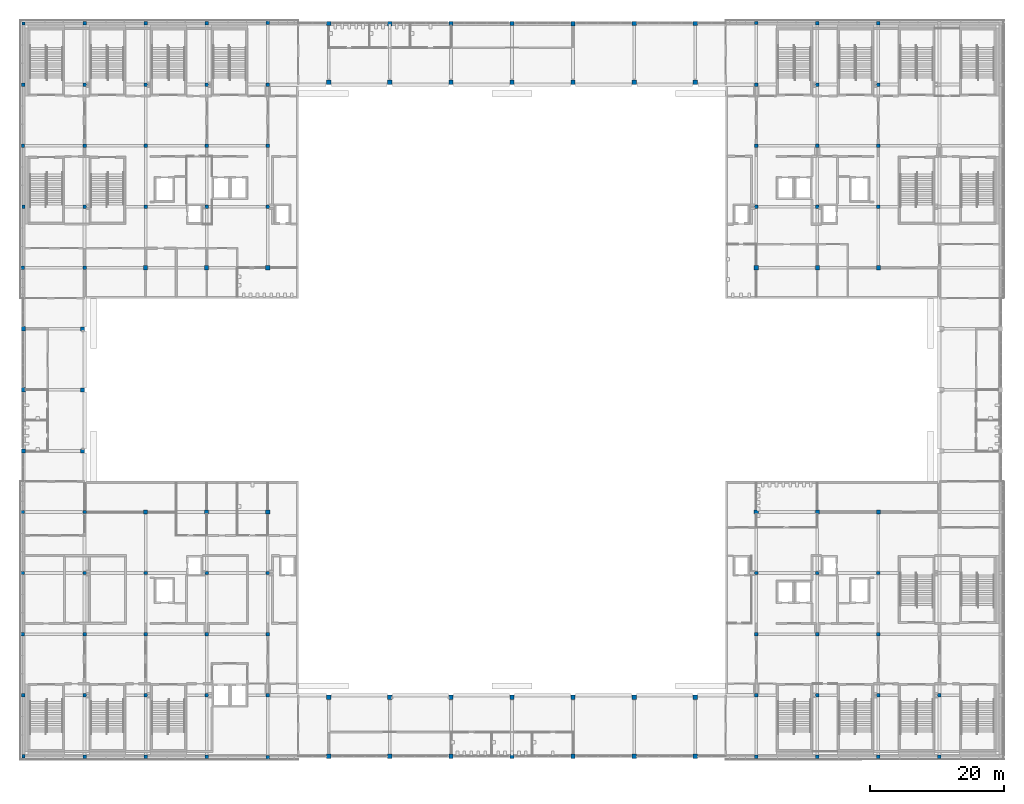
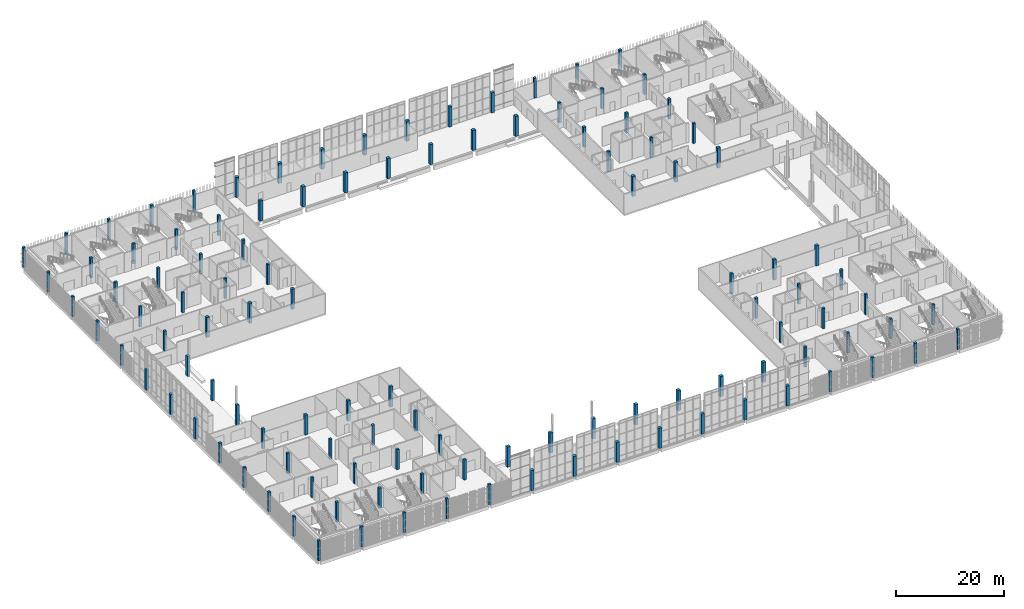
# One storey, part 1 of 91: 116 columns.
"""IFC4 building model written with IfcOpenShell, lengths in metres."""

from ifc_helpers import new_model, si_unit, direction, frame, origin, origin_2d, place, context, subcontext, project, spatial, rectangle, extrude, material, material_profile, profile_set, type_object, element, save


model = new_model("IFC4")

# Units and contexts
model_context = context("Model", 3, precision=1e-05, world=origin(), true_north=direction((0.0, 1.0)))
body_context = subcontext(model_context, "Body", "Model", "MODEL_VIEW")
ifc_project = project(units=[si_unit("LENGTHUNIT", "METRE"), si_unit("AREAUNIT", "SQUARE_METRE"), si_unit("VOLUMEUNIT", "CUBIC_METRE"), si_unit("PLANEANGLEUNIT", "RADIAN"), si_unit("MASSUNIT", "GRAM", prefix="KILO")], contexts=[model_context])

# Site, building, storey
site_placement = place(None, origin())
site = spatial("IfcSite", under=ifc_project, at=site_placement, CompositionType="ELEMENT")
building_placement = place(site_placement, origin())
building = spatial("IfcBuilding", under=site, at=building_placement, Name="Shirokan Park Arena", CompositionType="ELEMENT")
storey_placement = place(building_placement, frame((0.0, 0.0, 24.570068359375)))
storey = spatial("IfcBuildingStorey", under=building, at=storey_placement, Name="L05", CompositionType="ELEMENT", Elevation=24.570068359375)

# Columns
ifc_material = material(Name="Concrete C35", Category="concrete")
ifc_material_profile_1 = material_profile(ifc_material, rectangle(XDim=0.5, YDim=0.5, at=origin_2d()), Name="500x500")
ifc_profile_set_1 = profile_set([ifc_material_profile_1], Name="Concrete C35")
column_type_1 = type_object("IfcColumnType", Name="RC column 500x500", PredefinedType="COLUMN", material=ifc_profile_set_1)
for number, where, z_axis, x_axis, name in (
    (1, (0.0, 0.0, 0.0), (0.0, 0.0, 1.0), (1.0, 0.0, 0.0), "Column 1A L05"),
    (2, (-0.050048828125, 9.10009765625, 0.0), (0.0, 0.0, 1.0), (1.0, 0.0, 0.0), "Column 1B L05"),
    (3, (-0.125, 18.199951171875, 0.0), (0.0, 0.0, 1.0), (1.0, 0.0, 0.0), "Column 1C L05"),
    (4, (-0.125, 27.300048828125, 0.0), (0.0, 0.0, 1.0), (1.0, 0.0, 0.0), "Column 1D L05"),
    (5, (-0.10009765625, 36.39990234375, 0.0), (0.0, 0.0, 1.0), (1.0, 0.0, 0.0), "Column 1E L05"),
    (6, (-0.10009765625, 72.800048828125, 0.0), (0.0, 0.0, 1.0), (1.0, 0.0, 0.0), "Column 1J L05"),
    (7, (0.0, 81.89990234375, 0.0), (0.0, 0.0, 1.0), (1.0, 0.0, 0.0), "Column 1K L05"),
    (8, (-0.074951171875, 91.0, 0.0), (0.0, 0.0, 1.0), (1.0, 0.0, 0.0), "Column 1L L05"),
    (9, (-0.02490234375, 100.10009765625, 0.0), (0.0, 0.0, 1.0), (1.0, 0.0, 0.0), "Column 1M L05"),
    (10, (0.0, 109.199951171875, 0.0), (0.0, 0.0, 1.0), (1.0, 0.0, 0.0), "Column 1N L05"),
    (11, (9.10009765625, -0.050048828125, 0.0), (0.0, 0.0, 1.0), (1.0, 0.0, 0.0), "Column 2A L05"),
    (12, (9.10009765625, 9.10009765625, 0.0), (0.0, 0.0, 1.0), (1.0, 0.0, 0.0), "Column 2B L05"),
    (13, (9.10009765625, 18.199951171875, 0.0), (0.0, 0.0, 1.0), (1.0, 0.0, 0.0), "Column 2C L05"),
    (14, (9.10009765625, 27.300048828125, 0.0), (0.0, 0.0, 1.0), (1.0, 0.0, 0.0), "Column 2D L05"),
    (15, (9.10009765625, 36.39990234375, 0.0), (0.0, 0.0, 1.0), (1.0, 0.0, 0.0), "Column 2E L05"),
    (16, (9.10009765625, 72.800048828125, 0.0), (0.0, 0.0, 1.0), (1.0, 0.0, 0.0), "Column 2J L05"),
    (17, (9.10009765625, 81.89990234375, 0.0), (0.0, 0.0, 1.0), (1.0, 0.0, 0.0), "Column 2K L05"),
    (18, (9.10009765625, 91.0, 0.0), (0.0, 0.0, 1.0), (1.0, 0.0, 0.0), "Column 2L L05"),
    (19, (9.10009765625, 100.10009765625, 0.0), (0.0, 0.0, 1.0), (1.0, 0.0, 0.0), "Column 2M L05"),
    (20, (9.10009765625, 109.22509765625, 0.0), (0.0, 0.0, 1.0), (1.0, 0.0, 0.0), "Column 2N L05"),
    (21, (18.199951171875, -0.050048828125, 0.0), (0.0, 0.0, 1.0), (1.0, 0.0, 0.0), "Column 3A L05"),
    (22, (18.199951171875, 9.10009765625, 0.0), (0.0, 0.0, 1.0), (1.0, 0.0, 0.0), "Column 3B L05"),
    (23, (18.199951171875, 18.199951171875, 0.0), (0.0, 0.0, 1.0), (1.0, 0.0, 0.0), "Column 3C L05"),
    (24, (18.199951171875, 27.300048828125, 0.0), (0.0, 0.0, 1.0), (1.0, 0.0, 0.0), "Column 3D L05"),
    (25, (18.199951171875, 81.89990234375, 0.0), (0.0, 0.0, 1.0), (1.0, 0.0, 0.0), "Column 3K L05"),
    (26, (18.199951171875, 91.0, 0.0), (0.0, 0.0, 1.0), (1.0, 0.0, 0.0), "Column 3L L05"),
    (27, (18.199951171875, 100.10009765625, 0.0), (0.0, 0.0, 1.0), (1.0, 0.0, 0.0), "Column 3M L05"),
    (28, (18.199951171875, 109.22509765625, 0.0), (0.0, 0.0, 1.0), (1.0, 0.0, 0.0), "Column 3N L05"),
    (29, (27.300048828125, -0.10009765625, 0.0), (0.0, 0.0, 1.0), (1.0, 0.0, 0.0), "Column 4A L05"),
    (30, (27.300048828125, 9.10009765625, 0.0), (0.0, 0.0, 1.0), (1.0, 0.0, 0.0), "Column 4B L05"),
    (31, (27.300048828125, 18.199951171875, 0.0), (0.0, 0.0, 1.0), (1.0, 0.0, 0.0), "Column 4C L05"),
    (32, (27.300048828125, 27.300048828125, 0.0), (0.0, 0.0, 1.0), (1.0, 0.0, 0.0), "Column 4D L05"),
    (33, (27.300048828125, 81.89990234375, 0.0), (0.0, 0.0, 1.0), (1.0, 0.0, 0.0), "Column 4K L05"),
    (34, (27.300048828125, 91.0, 0.0), (0.0, 0.0, 1.0), (1.0, 0.0, 0.0), "Column 4L L05"),
    (35, (27.300048828125, 100.10009765625, 0.0), (0.0, 0.0, 1.0), (1.0, 0.0, 0.0), "Column 4M L05"),
    (36, (27.300048828125, 109.22509765625, 0.0), (0.0, 0.0, 1.0), (1.0, 0.0, 0.0), "Column 4N L05"),
    (37, (36.39990234375, -0.125, 0.0), (0.0, 0.0, 1.0), (1.0, 0.0, 0.0), "Column 5A L05"),
    (38, (36.39990234375, 9.10009765625, 0.0), (0.0, 0.0, 1.0), (1.0, 0.0, 0.0), "Column 5B L05"),
    (39, (36.39990234375, 18.199951171875, 0.0), (0.0, 0.0, 1.0), (1.0, 0.0, 0.0), "Column 5C L05"),
    (40, (36.39990234375, 27.300048828125, 0.0), (0.0, 0.0, 1.0), (1.0, 0.0, 0.0), "Column 5D L05"),
    (41, (36.39990234375, 81.89990234375, 0.0), (0.0, 0.0, 1.0), (1.0, 0.0, 0.0), "Column 5K L05"),
    (42, (36.39990234375, 91.0, 0.0), (0.0, 0.0, 1.0), (1.0, 0.0, 0.0), "Column 5L L05"),
    (43, (36.39990234375, 100.10009765625, 0.0), (0.0, 0.0, 1.0), (1.0, 0.0, 0.0), "Column 5M L05"),
    (44, (36.39990234375, 109.300048828125, 0.0), (0.0, 0.0, 1.0), (1.0, 0.0, 0.0), "Column 5N L05"),
    (45, (109.199951171875, -0.10009765625, 0.0), (0.0, 0.0, 1.0), (1.0, 0.0, 0.0), "Column 13A L05"),
    (46, (109.199951171875, 9.10009765625, 0.0), (0.0, 0.0, 1.0), (1.0, 0.0, 0.0), "Column 13B L05"),
    (47, (109.199951171875, 18.199951171875, 0.0), (0.0, 0.0, 1.0), (1.0, 0.0, 0.0), "Column 13C L05"),
    (48, (109.199951171875, 27.300048828125, 0.0), (0.0, 0.0, 1.0), (1.0, 0.0, 0.0), "Column 13D L05"),
    (49, (109.199951171875, 81.89990234375, 0.0), (0.0, 0.0, 1.0), (1.0, 0.0, 0.0), "Column 13K L05"),
    (50, (109.199951171875, 91.0, 0.0), (0.0, 0.0, 1.0), (1.0, 0.0, 0.0), "Column 13L L05"),
    (51, (109.199951171875, 100.10009765625, 0.0), (0.0, 0.0, 1.0), (1.0, 0.0, 0.0), "Column 13M L05"),
    (52, (109.199951171875, 109.27490234375, 0.0), (0.0, 0.0, 1.0), (1.0, 0.0, 0.0), "Column 13N L05"),
    (53, (118.300048828125, -0.050048828125, 0.0), (0.0, 0.0, 1.0), (1.0, 0.0, 0.0), "Column 14A L05"),
    (54, (118.300048828125, 9.10009765625, 0.0), (0.0, 0.0, 1.0), (1.0, 0.0, 0.0), "Column 14B L05"),
    (55, (118.300048828125, 18.199951171875, 0.0), (0.0, 0.0, 1.0), (1.0, 0.0, 0.0), "Column 14C L05"),
    (56, (118.300048828125, 27.300048828125, 0.0), (0.0, 0.0, 1.0), (1.0, 0.0, 0.0), "Column 14D L05"),
    (57, (118.300048828125, 81.89990234375, 0.0), (0.0, 0.0, 1.0), (1.0, 0.0, 0.0), "Column 14K L05"),
    (58, (118.300048828125, 91.0, 0.0), (0.0, 0.0, 1.0), (1.0, 0.0, 0.0), "Column 14L L05"),
    (59, (118.300048828125, 100.10009765625, 0.0), (0.0, 0.0, 1.0), (1.0, 0.0, 0.0), "Column 14M L05"),
    (60, (118.300048828125, 109.22509765625, 0.0), (0.0, 0.0, 1.0), (1.0, 0.0, 0.0), "Column 14N L05"),
    (61, (127.39990234375, -0.050048828125, 0.0), (0.0, 0.0, 1.0), (1.0, 0.0, 0.0), "Column 15A L05"),
    (62, (127.39990234375, 9.10009765625, 0.0), (0.0, 0.0, 1.0), (1.0, 0.0, 0.0), "Column 15B L05"),
    (63, (127.39990234375, 18.199951171875, 0.0), (0.0, 0.0, 1.0), (1.0, 0.0, 0.0), "Column 15C L05"),
    (64, (127.39990234375, 27.300048828125, 0.0), (0.0, 0.0, 1.0), (1.0, 0.0, 0.0), "Column 15D L05"),
    (65, (127.39990234375, 81.89990234375, 0.0), (0.0, 0.0, 1.0), (1.0, 0.0, 0.0), "Column 15K L05"),
    (66, (127.39990234375, 91.0, 0.0), (0.0, 0.0, 1.0), (1.0, 0.0, 0.0), "Column 15L L05"),
    (67, (127.39990234375, 100.10009765625, 0.0), (0.0, 0.0, 1.0), (1.0, 0.0, 0.0), "Column 15M L05"),
    (68, (127.39990234375, 109.22509765625, 0.0), (0.0, 0.0, 1.0), (1.0, 0.0, 0.0), "Column 15N L05"),
    (69, (136.5, -0.050048828125, 0.0), (0.0, 0.0, 1.0), (1.0, 0.0, 0.0), "Column 16A L05"),
    (70, (136.5, 9.10009765625, 0.0), (0.0, 0.0, 1.0), (1.0, 0.0, 0.0), "Column 16B L05"),
):
    element("IfcColumn", number, at=place(storey_placement, frame(where, z_axis=z_axis, x_axis=x_axis)), inside=storey, type_object=column_type_1, Name=name, PredefinedType="COLUMN", context=body_context, shape_type="SweptSolid", body=[
        extrude(rectangle(XDim=0.5, YDim=0.5, at=origin_2d()), origin(), (0.0, 0.0, 1.0), 4.550048828125),
    ])
ifc_material_profile_2 = material_profile(ifc_material, rectangle(XDim=0.60009765625, YDim=0.60009765625, at=origin_2d()), Name="600x600")
ifc_profile_set_2 = profile_set([ifc_material_profile_2], Name="Concrete C35")
column_type_2 = type_object("IfcColumnType", Name="RC column 600x600", PredefinedType="COLUMN", material=ifc_profile_set_2)
for number, where, z_axis, x_axis, name in (
    (71, (8.800048828125, 45.5, 0.0), (0.0, 0.0, 1.0), (1.0, 0.0, 0.0), "Column 2F L05"),
    (72, (8.800048828125, 54.60009765625, 0.0), (0.0, 0.0, 1.0), (1.0, 0.0, 0.0), "Column 2G L05"),
    (73, (8.800048828125, 63.699951171875, 0.0), (0.0, 0.0, 1.0), (1.0, 0.0, 0.0), "Column 2H L05"),
    (74, (18.199951171875, 36.39990234375, 0.0), (0.0, 0.0, 1.0), (1.0, 0.0, 0.0), "Column 3E L05"),
    (75, (18.199951171875, 72.800048828125, 0.0), (0.0, 0.0, 1.0), (1.0, 0.0, 0.0), "Column 3J L05"),
    (76, (27.300048828125, 36.39990234375, 0.0), (0.0, 0.0, 1.0), (1.0, 0.0, 0.0), "Column 4E L05"),
    (77, (27.300048828125, 72.800048828125, 0.0), (0.0, 0.0, 1.0), (1.0, 0.0, 0.0), "Column 4J L05"),
    (78, (36.39990234375, 36.39990234375, 0.0), (0.0, 0.0, 1.0), (1.0, 0.0, 0.0), "Column 5E L05"),
    (79, (36.39990234375, 72.800048828125, 0.0), (0.0, 0.0, 1.0), (1.0, 0.0, 0.0), "Column 5J L05"),
    (80, (109.199951171875, 36.39990234375, 0.0), (0.0, 0.0, 1.0), (1.0, 0.0, 0.0), "Column 13E L05"),
    (81, (109.199951171875, 72.800048828125, 0.0), (0.0, 0.0, 1.0), (1.0, 0.0, 0.0), "Column 13J L05"),
    (82, (118.300048828125, 36.39990234375, 0.0), (0.0, 0.0, 1.0), (1.0, 0.0, 0.0), "Column 14E L05"),
    (83, (118.300048828125, 72.800048828125, 0.0), (0.0, 0.0, 1.0), (1.0, 0.0, 0.0), "Column 14J L05"),
    (84, (127.39990234375, 36.39990234375, 0.0), (0.0, 0.0, 1.0), (1.0, 0.0, 0.0), "Column 15E L05"),
    (85, (127.39990234375, 72.800048828125, 0.0), (0.0, 0.0, 1.0), (1.0, 0.0, 0.0), "Column 15J L05"),
):
    element("IfcColumn", number, at=place(storey_placement, frame(where, z_axis=z_axis, x_axis=x_axis)), inside=storey, type_object=column_type_2, Name=name, PredefinedType="COLUMN", context=body_context, shape_type="SweptSolid", body=[
        extrude(rectangle(XDim=0.60009765625, YDim=0.60009765625, at=origin_2d()), origin(), (0.0, 0.0, 1.0), 4.550048828125),
    ])
ifc_material_profile_3 = material_profile(ifc_material, rectangle(XDim=0.64990234375, YDim=0.64990234375, at=origin_2d()), Name="650x650")
ifc_profile_set_3 = profile_set([ifc_material_profile_3], Name="Concrete C35")
column_type_3 = type_object("IfcColumnType", Name="RC column 650x650", PredefinedType="COLUMN", material=ifc_profile_set_3)
for number, where, z_axis, x_axis, name in (
    (86, (0.0, 45.5, 0.0), (0.0, 0.0, 1.0), (1.0, 0.0, 0.0), "Column 1F L05"),
    (87, (0.0, 54.60009765625, 0.0), (0.0, 0.0, 1.0), (1.0, 0.0, 0.0), "Column 1G L05"),
    (88, (0.0, 63.699951171875, 0.0), (0.0, 0.0, 1.0), (1.0, 0.0, 0.0), "Column 1H L05"),
    (89, (45.5, -0.02490234375, 0.0), (0.0, 0.0, 1.0), (1.0, 0.0, 0.0), "Column 6A L05"),
    (90, (45.5, 8.77490234375, 0.0), (0.0, 0.0, 1.0), (1.0, 0.0, 0.0), "Column 6B L05"),
    (91, (45.5, 100.425048828125, 0.0), (0.0, 0.0, 1.0), (1.0, 0.0, 0.0), "Column 6M L05"),
    (92, (45.5, 109.199951171875, 0.0), (0.0, 0.0, 1.0), (1.0, 0.0, 0.0), "Column 6N L05"),
    (93, (54.60009765625, 0.0, 0.0), (0.0, 0.0, 1.0), (1.0, 0.0, 0.0), "Column 7A L05"),
    (94, (54.60009765625, 8.77490234375, 0.0), (0.0, 0.0, 1.0), (1.0, 0.0, 0.0), "Column 7B L05"),
    (95, (54.60009765625, 100.425048828125, 0.0), (0.0, 0.0, 1.0), (1.0, 0.0, 0.0), "Column 7M L05"),
    (96, (54.60009765625, 109.175048828125, 0.0), (0.0, 0.0, 1.0), (1.0, 0.0, 0.0), "Column 7N L05"),
    (97, (63.699951171875, -0.02490234375, 0.0), (0.0, 0.0, 1.0), (1.0, 0.0, 0.0), "Column 8A L05"),
    (98, (63.699951171875, 8.77490234375, 0.0), (0.0, 0.0, 1.0), (1.0, 0.0, 0.0), "Column 8B L05"),
    (99, (63.699951171875, 100.425048828125, 0.0), (0.0, 0.0, 1.0), (1.0, 0.0, 0.0), "Column 8M L05"),
    (100, (63.699951171875, 109.199951171875, 0.0), (0.0, 0.0, 1.0), (1.0, 0.0, 0.0), "Column 8N L05"),
    (101, (72.800048828125, -0.02490234375, 0.0), (0.0, 0.0, 1.0), (1.0, 0.0, 0.0), "Column 9A L05"),
    (102, (72.800048828125, 8.77490234375, 0.0), (0.0, 0.0, 1.0), (1.0, 0.0, 0.0), "Column 9B L05"),
    (103, (72.800048828125, 100.425048828125, 0.0), (0.0, 0.0, 1.0), (1.0, 0.0, 0.0), "Column 9M L05"),
    (104, (72.800048828125, 109.199951171875, 0.0), (0.0, 0.0, 1.0), (1.0, 0.0, 0.0), "Column 9N L05"),
    (105, (81.89990234375, 0.0, 0.0), (0.0, 0.0, 1.0), (1.0, 0.0, 0.0), "Column 10A L05"),
    (106, (81.89990234375, 8.77490234375, 0.0), (0.0, 0.0, 1.0), (1.0, 0.0, 0.0), "Column 10B L05"),
    (107, (81.89990234375, 100.425048828125, 0.0), (0.0, 0.0, 1.0), (1.0, 0.0, 0.0), "Column 10M L05"),
    (108, (81.89990234375, 109.175048828125, 0.0), (0.0, 0.0, 1.0), (1.0, 0.0, 0.0), "Column 10N L05"),
    (109, (91.0, -0.02490234375, 0.0), (0.0, 0.0, 1.0), (1.0, 0.0, 0.0), "Column 11A L05"),
    (110, (91.0, 8.77490234375, 0.0), (0.0, 0.0, 1.0), (1.0, 0.0, 0.0), "Column 11B L05"),
    (111, (91.0, 100.425048828125, 0.0), (0.0, 0.0, 1.0), (1.0, 0.0, 0.0), "Column 11M L05"),
    (112, (91.0, 109.199951171875, 0.0), (0.0, 0.0, 1.0), (1.0, 0.0, 0.0), "Column 11N L05"),
    (113, (100.10009765625, -0.02490234375, 0.0), (0.0, 0.0, 1.0), (1.0, 0.0, 0.0), "Column 12A L05"),
    (114, (100.10009765625, 8.77490234375, 0.0), (0.0, 0.0, 1.0), (1.0, 0.0, 0.0), "Column 12B L05"),
    (115, (100.10009765625, 100.425048828125, 0.0), (0.0, 0.0, 1.0), (1.0, 0.0, 0.0), "Column 12M L05"),
    (116, (100.10009765625, 109.199951171875, 0.0), (0.0, 0.0, 1.0), (1.0, 0.0, 0.0), "Column 12N L05"),
):
    element("IfcColumn", number, at=place(storey_placement, frame(where, z_axis=z_axis, x_axis=x_axis)), inside=storey, type_object=column_type_3, Name=name, PredefinedType="COLUMN", context=body_context, shape_type="SweptSolid", body=[
        extrude(rectangle(XDim=0.64990234375, YDim=0.64990234375, at=origin_2d()), origin(), (0.0, 0.0, 1.0), 4.550048828125),
    ])

save(model, "model.ifc")
